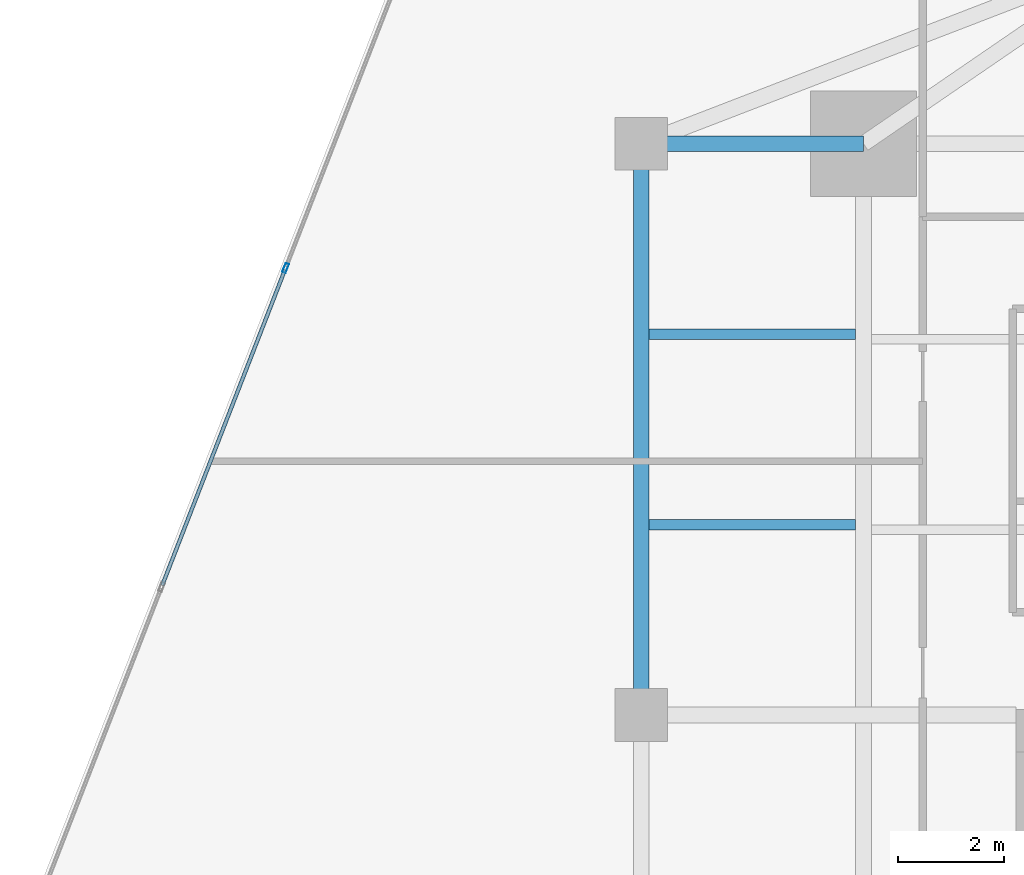
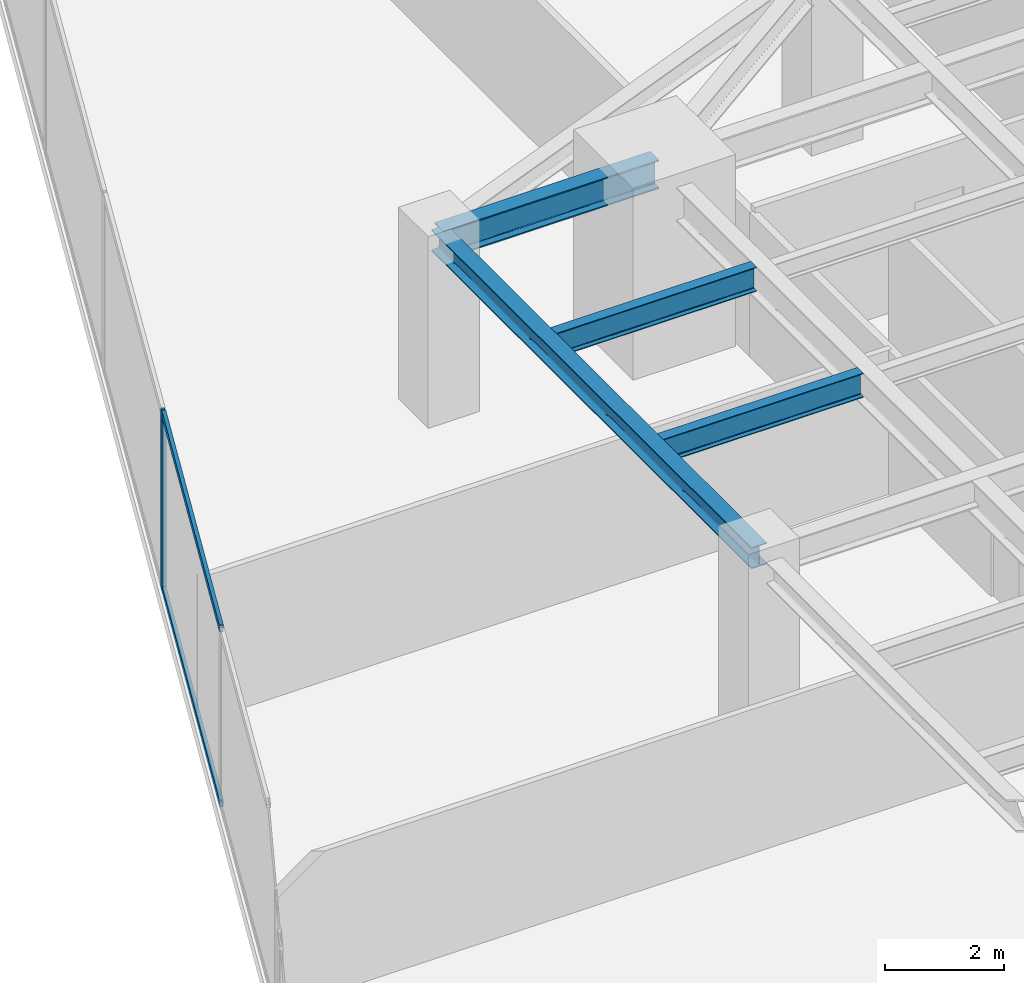
# One storey, part 13 of 26: 4 beams, 3 members, 1 element without a shape of its own.
"""IFC4 building model written with IfcOpenShell, lengths in metres."""

from ifc_helpers import new_model, si_unit, direction, frame, origin, origin_2d, place, context, subcontext, project, spatial, hollow_rectangle, i_section, extrude, source, transform, mapped, material, material_profile, profile_set, type_object, type_shapes, element, aggregate, save


model = new_model("IFC4")

# Units and contexts
model_context = context("Model", 3, precision=1e-05, world=origin(), true_north=direction((0.0, 1.0)))
body_context = subcontext(model_context, "Body", "Model", "MODEL_VIEW")
ifc_project = project(units=[si_unit("LENGTHUNIT", "METRE"), si_unit("AREAUNIT", "SQUARE_METRE"), si_unit("VOLUMEUNIT", "CUBIC_METRE"), si_unit("PLANEANGLEUNIT", "RADIAN"), si_unit("MASSUNIT", "GRAM", prefix="KILO")], contexts=[model_context])

# Site, building, storey
site_placement = place(None, origin())
site = spatial("IfcSite", under=ifc_project, at=site_placement, CompositionType="ELEMENT")
building_placement = place(site_placement, origin())
building = spatial("IfcBuilding", under=site, at=building_placement, Name="Krantzveldt Concourse Tower", CompositionType="ELEMENT")
storey_placement = place(building_placement, frame((0.0, 0.0, 133.5)))
storey = spatial("IfcBuildingStorey", under=building, at=storey_placement, Name="L32", CompositionType="ELEMENT", Elevation=133.5)

# Beams
ifc_material_1 = material(Name="Steel S355JR", Category="steel")
ifc_material_profile_1 = material_profile(ifc_material_1, i_section(OverallWidth=0.300048828125, OverallDepth=0.43994140625, WebThickness=0.011474609375, FlangeThickness=0.02099609375, FilletRadius=0.027099609375, at=origin_2d()), Name="Steel S355JR", Category="steel")
ifc_profile_set_1 = profile_set([ifc_material_profile_1], Name="Steel S355JR - HEA 450")
beam_type_1 = type_object("IfcBeamType", Name="BM-SP-HEA450", PredefinedType="SPANDREL", material=ifc_profile_set_1)
shared_shape_1 = source(origin(), body_context, "Body", "SweptSolid", [
    extrude(i_section(OverallWidth=0.300048828125, OverallDepth=0.43994140625, WebThickness=0.011474609375, FlangeThickness=0.02099609375, FilletRadius=0.027099609375, at=origin_2d()), origin(), (0.0, 0.0, 1.0), 10.800048828125),
])
type_shapes(beam_type_1, [shared_shape_1])
beam_1_placement = place(storey_placement, frame((21.0, 26.699951171875, 3.449951171875), z_axis=(0.0, 1.0, 0.0), x_axis=(-1.0, 0.0, 0.0)))
element("IfcBeam", 1, at=beam_1_placement, inside=storey, type_object=beam_type_1, Name="L32 Tower Girder SP-R02", PredefinedType="SPANDREL", context=body_context, shape_type="MappedRepresentation", body=[
    mapped(shared_shape_1, transform((0.0, 0.0, 0.0), x_axis=(1.0, 0.0, 0.0), y_axis=(0.0, 1.0, 0.0), z_axis=(0.0, 0.0, 1.0), scale=1.0)),
])
ifc_material_profile_2 = material_profile(ifc_material_1, i_section(OverallWidth=0.300048828125, OverallDepth=0.590087890625, WebThickness=0.012939453125, FlangeThickness=0.02490234375, FilletRadius=0.027099609375, at=origin_2d()), Name="Steel S355JR", Category="steel")
ifc_profile_set_2 = profile_set([ifc_material_profile_2], Name="Steel S355JR - HEA 600")
beam_type_2 = type_object("IfcBeamType", Name="BM-B-HEA600", PredefinedType="BEAM", material=ifc_profile_set_2)
shared_shape_2 = source(origin(), body_context, "Body", "SweptSolid", [
    extrude(i_section(OverallWidth=0.300048828125, OverallDepth=0.590087890625, WebThickness=0.012939453125, FlangeThickness=0.02490234375, FilletRadius=0.027099609375, at=origin_2d()), origin(), (0.0, 0.0, 1.0), 4.199951171875),
])
type_shapes(beam_type_2, [shared_shape_2])
beam_2_placement = place(storey_placement, frame((21.0, 37.5, 3.375), z_axis=(1.0, 0.0, 0.0), x_axis=(0.0, 1.0, 0.0)))
element("IfcBeam", 2, at=beam_2_placement, inside=storey, type_object=beam_type_2, Name="L32 Tower Girder BR-RL3", PredefinedType="BEAM", context=body_context, shape_type="MappedRepresentation", body=[
    mapped(shared_shape_2, transform((0.0, 0.0, 0.0), x_axis=(1.0, 0.0, 0.0), y_axis=(0.0, 1.0, 0.0), z_axis=(0.0, 0.0, 1.0), scale=1.0)),
])
ifc_material_profile_3 = material_profile(ifc_material_1, i_section(OverallWidth=0.199951171875, OverallDepth=0.5, WebThickness=0.01025390625, FlangeThickness=0.01611328125, FilletRadius=0.02099609375, at=origin_2d()), Name="Steel S355JR", Category="steel")
ifc_profile_set_3 = profile_set([ifc_material_profile_3], Name="Steel S355JR - IPE 500")
beam_type_3 = type_object("IfcBeamType", Name="BM-J-IPE500", PredefinedType="JOIST", material=ifc_profile_set_3)
shared_shape_3 = source(origin(), body_context, "Body", "SweptSolid", [
    extrude(i_section(OverallWidth=0.199951171875, OverallDepth=0.5, WebThickness=0.01025390625, FlangeThickness=0.01611328125, FilletRadius=0.02099609375, at=origin_2d()), origin(), (0.0, 0.0, 1.0), 3.900146484375),
])
type_shapes(beam_type_3, [shared_shape_3])
for number, where, z_axis, x_axis, name in (
    (3, (21.14990234375, 30.300048828125, 3.419921875), (1.0, 0.0, 0.0), (0.0, 1.0, 0.0), "L32 Secondary Floor Joist JW-3"),
    (4, (21.14990234375, 33.89990234375, 3.419921875), (1.0, 0.0, 0.0), (0.0, 1.0, 0.0), "L32 Secondary Floor Joist JW-4"),
):
    element("IfcBeam", number, at=place(storey_placement, frame(where, z_axis=z_axis, x_axis=x_axis)), inside=storey, type_object=beam_type_3, Name=name, PredefinedType="JOIST", context=body_context, shape_type="MappedRepresentation", body=[
        mapped(shared_shape_3, transform((0.0, 0.0, 0.0), x_axis=(1.0, 0.0, 0.0), y_axis=(0.0, 1.0, 0.0), z_axis=(0.0, 0.0, 1.0), scale=1.0)),
    ])

# Curtain wall, members
ifc_material_2 = material(Name="Anodised aluminium 6063-T6", Category="aluminium")
curtain_wall_type = type_object("IfcCurtainWallType", Name="CW2", PredefinedType="USERDEFINED", material=ifc_material_2)
curtain_wall_placement = place(storey_placement, origin())
curtain_wall = element("IfcCurtainWall", 5, at=curtain_wall_placement, inside=storey, type_object=curtain_wall_type, Name="CW-L32-F01", ObjectType="UNITISED CURTAIN WALL", PredefinedType="USERDEFINED")
ifc_material_profile_4 = material_profile(ifc_material_2, hollow_rectangle(XDim=0.070068359375, YDim=0.179931640625, WallThickness=0.0048828125, at=origin_2d()), Name="Anodised aluminium 6063-T6", Category="aluminium")
ifc_profile_set_4 = profile_set([ifc_material_profile_4], Name="Anodised aluminium 6063-T6 - ALU-MULL 180x70x5")
member_type_1 = type_object("IfcMemberType", Name="CW-MUL-180", PredefinedType="MULLION", material=ifc_profile_set_4)
shared_shape_4 = source(origin(), body_context, "Body", "SweptSolid", [
    extrude(hollow_rectangle(XDim=0.070068359375, YDim=0.179931640625, WallThickness=0.0048828125, at=origin_2d()), origin(), (0.0, 0.0, 1.0), 3.669921875),
])
type_shapes(member_type_1, [shared_shape_4])
member_1_placement = place(storey_placement, frame((14.27490234375, 35.1484375, 0.0), z_axis=(0.0, 0.0, 1.0), x_axis=(0.93200790248, -0.362437952917, 0.0)))
member_1 = element("IfcMember", 6, at=member_1_placement, type_object=member_type_1, Name="CW-Z12 mullion 4", PredefinedType="MULLION", context=body_context, shape_type="MappedRepresentation", body=[
    mapped(shared_shape_4, transform((0.0, 0.0, 0.0), x_axis=(1.0, 0.0, 0.0), y_axis=(0.0, 1.0, 0.0), z_axis=(0.0, 0.0, 1.0), scale=1.0)),
])
ifc_material_profile_5 = material_profile(ifc_material_2, hollow_rectangle(XDim=0.070068359375, YDim=0.139892578125, WallThickness=0.0048828125, at=origin_2d()), Name="Anodised aluminium 6063-T6", Category="aluminium")
ifc_profile_set_5 = profile_set([ifc_material_profile_5], Name="Anodised aluminium 6063-T6 - ALU-TRAN 140x70x5")
member_type_2 = type_object("IfcMemberType", Name="CW-TRN-150", PredefinedType="USERDEFINED", material=ifc_profile_set_5)
shared_shape_5 = source(origin(), body_context, "Body", "SweptSolid", [
    extrude(hollow_rectangle(XDim=0.070068359375, YDim=0.139892578125, WallThickness=0.0048828125, at=origin_2d()), origin(), (0.0, 0.0, 1.0), 6.396484375),
])
type_shapes(member_type_2, [shared_shape_5])
member_2_placement = place(storey_placement, frame((14.26220703125, 35.11572265625, 0.034912109375), z_axis=(-0.36243705186, -0.932008252882, 0.0), x_axis=(0.932008252882, -0.36243705186, 0.0)))
member_2 = element("IfcMember", 7, at=member_2_placement, type_object=member_type_2, Name="CW-Z12 transom 4.1", ObjectType="TRANSOM", PredefinedType="USERDEFINED", context=body_context, shape_type="MappedRepresentation", body=[
    mapped(shared_shape_5, transform((0.0, 0.0, 0.0), x_axis=(1.0, 0.0, 0.0), y_axis=(0.0, 1.0, 0.0), z_axis=(0.0, 0.0, 1.0), scale=1.0)),
])
member_3_placement = place(storey_placement, frame((14.26220703125, 35.11572265625, 3.635009765625), z_axis=(-0.36243705186, -0.932008252882, 0.0), x_axis=(0.932008252882, -0.36243705186, 0.0)))
member_3 = element("IfcMember", 8, at=member_3_placement, type_object=member_type_2, Name="CW-Z12 transom 4.2", ObjectType="TRANSOM", PredefinedType="USERDEFINED", context=body_context, shape_type="MappedRepresentation", body=[
    mapped(shared_shape_5, transform((0.0, 0.0, 0.0), x_axis=(1.0, 0.0, 0.0), y_axis=(0.0, 1.0, 0.0), z_axis=(0.0, 0.0, 1.0), scale=1.0)),
])
aggregate(curtain_wall, [member_1, member_2, member_3])

save(model, "model.ifc")
